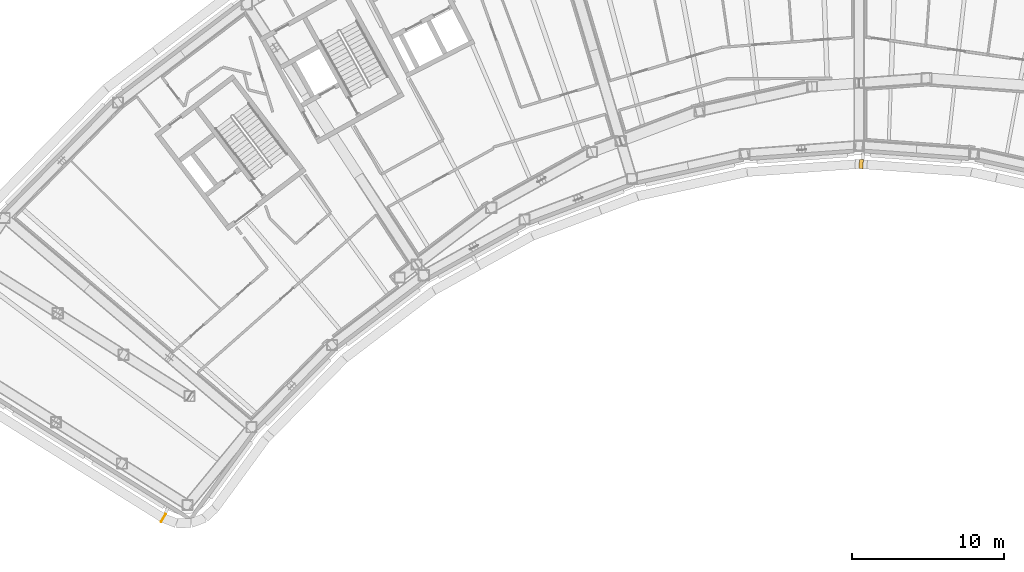
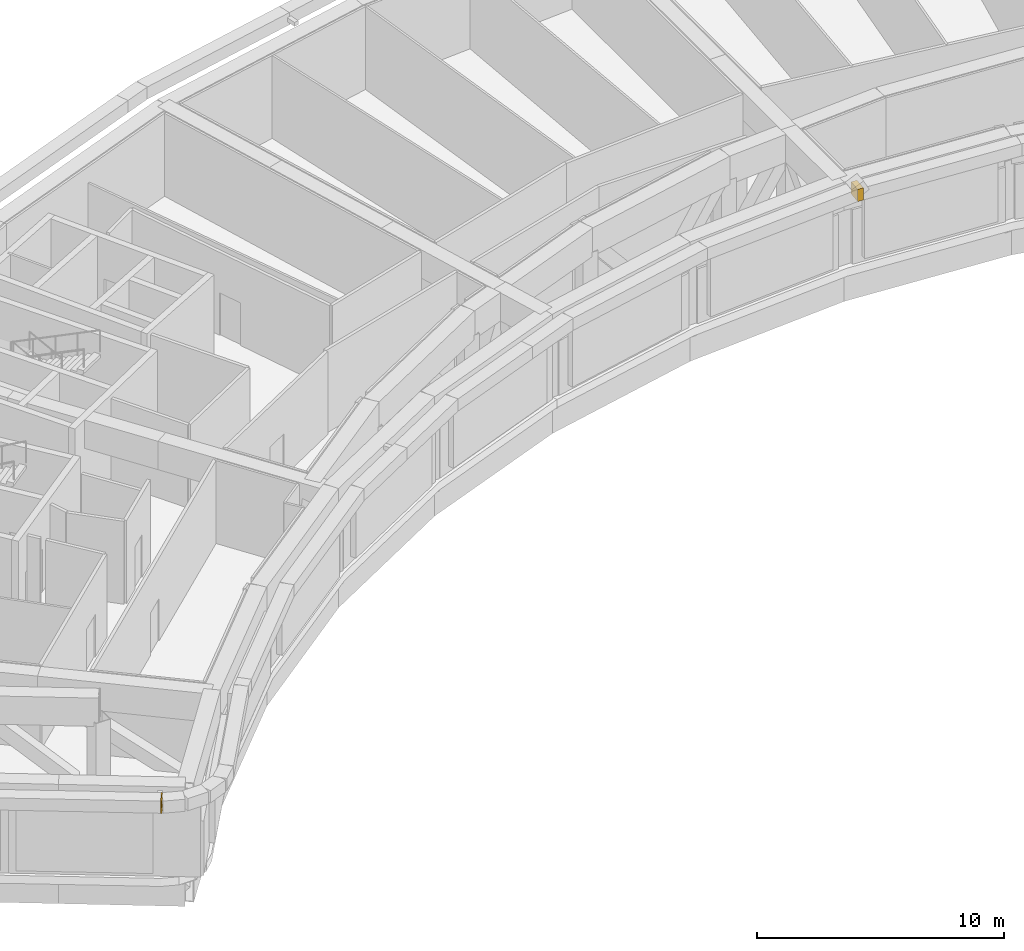
# One storey, part 24 of 25: 2 coverings.
"""IFC4 building model written with IfcOpenShell, lengths in metres."""

from ifc_helpers import new_model, si_unit, direction, frame, origin, origin_2d, place, context, subcontext, project, spatial, rectangle, extrude, material, material_profile, profile_set, type_object, element, save


model = new_model("IFC4")

# Units and contexts
model_context = context("Model", 3, precision=1e-05, world=origin(), true_north=direction((0.0, 1.0)))
body_context = subcontext(model_context, "Body", "Model", "MODEL_VIEW")
ifc_project = project(units=[si_unit("LENGTHUNIT", "METRE"), si_unit("AREAUNIT", "SQUARE_METRE"), si_unit("VOLUMEUNIT", "CUBIC_METRE"), si_unit("PLANEANGLEUNIT", "RADIAN"), si_unit("MASSUNIT", "GRAM", prefix="KILO")], contexts=[model_context])

# Site, building, storey
site_placement = place(None, origin())
site = spatial("IfcSite", under=ifc_project, at=site_placement, CompositionType="ELEMENT")
building_placement = place(site_placement, origin())
building = spatial("IfcBuilding", under=site, at=building_placement, Name="Tuul Gate Civic Tower", CompositionType="ELEMENT")
storey_placement = place(building_placement, frame((0.0, 0.0, 133.699951171875)))
storey = spatial("IfcBuildingStorey", under=building, at=storey_placement, Name="Plant and refuge floor 4", CompositionType="ELEMENT", Elevation=133.699951171875)

# Coverings
ifc_material = material(Name="Terracotta baguette", Category="masonry")
ifc_material_profile = material_profile(ifc_material, rectangle(XDim=0.60009765625, YDim=0.60009765625, at=origin_2d()), Name="Terracotta baguette screen frame")
ifc_profile_set = profile_set([ifc_material_profile], Name="Terracotta baguette")
covering_type = type_object("IfcCoveringType", Name="Terracotta baguette screen frame", PredefinedType="CLADDING", material=ifc_profile_set)
covering_1_placement = place(storey_placement, frame((-40.554931640625, -36.6748046875, 4.150146484375), z_axis=(0.848261487435, -0.529577613702, 0.0), x_axis=(0.529577613702, 0.848261487435, 0.0)))
element("IfcCovering", 1, at=covering_1_placement, inside=storey, type_object=covering_type, Name="Baguette 157", PredefinedType="CLADDING", context=body_context, shape_type="SweptSolid", body=[
    extrude(rectangle(XDim=0.60009765625, YDim=0.60009765625, at=origin_2d()), origin(), (0.0, 0.0, 1.0), 0.052001953125),
])
covering_2_placement = place(storey_placement, frame((5.3740234375, -13.326904296875, 4.150146484375), z_axis=(0.997368261677, -0.072502073076, 0.0), x_axis=(0.072502073076, 0.997368261677, 0.0)))
element("IfcCovering", 2, at=covering_2_placement, inside=storey, type_object=covering_type, Name="Baguette 401", PredefinedType="CLADDING", context=body_context, shape_type="SweptSolid", body=[
    extrude(rectangle(XDim=0.60009765625, YDim=0.60009765625, at=origin_2d()), origin(), (0.0, 0.0, 1.0), 0.2626953125),
])

save(model, "model.ifc")
